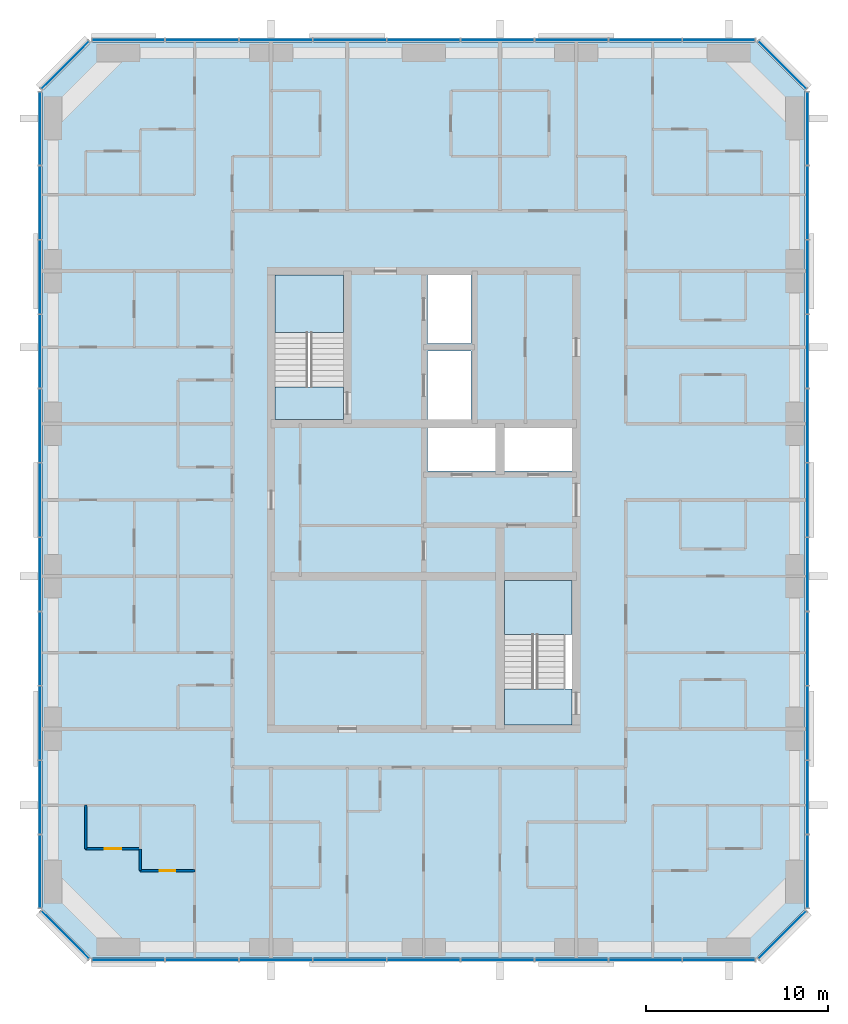
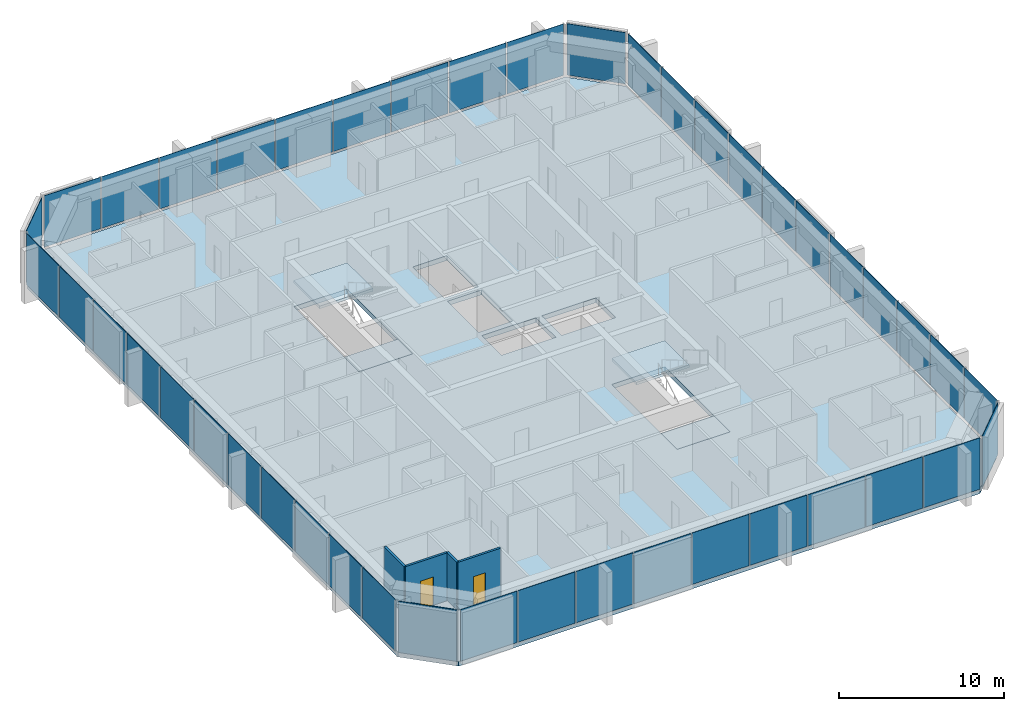
# One storey, part 6 of 12: 44 plates, 5 slabs, 4 walls, 2 doors, 2 openings, 10 elements without a shape of their own.
"""IFC4 building model written with IfcOpenShell, lengths in metres."""

from ifc_helpers import new_model, si_unit, direction, frame, frame_2d, origin, origin_2d, place, context, subcontext, project, spatial, polyline, rectangle, outline, extrude, material, layer, layer_set, type_object, element, fill, aggregate, save


model = new_model("IFC4")

# Units and contexts
model_context = context("Model", 3, precision=1e-05, world=origin(), true_north=direction((0.0, 1.0)))
body_context = subcontext(model_context, "Body", "Model", "MODEL_VIEW")
ifc_project = project(units=[si_unit("LENGTHUNIT", "METRE"), si_unit("AREAUNIT", "SQUARE_METRE"), si_unit("VOLUMEUNIT", "CUBIC_METRE"), si_unit("PLANEANGLEUNIT", "RADIAN"), si_unit("MASSUNIT", "GRAM", prefix="KILO")], contexts=[model_context])

# Site, building, storey
site_placement = place(None, origin())
site = spatial("IfcSite", under=ifc_project, at=site_placement, CompositionType="ELEMENT")
building_placement = place(site_placement, origin())
building = spatial("IfcBuilding", under=site, at=building_placement, Name="Dunama Terrace Hotel", CompositionType="ELEMENT")
storey_placement = place(building_placement, frame((0.0, 0.0, 252.89990234375)))
storey = spatial("IfcBuildingStorey", under=building, at=storey_placement, Name="L65", CompositionType="ELEMENT", Elevation=252.89990234375)

# Curtain wall, plates
ifc_material_1 = material(Name="Aluminium curtain wall system", Category="aluminium")
curtain_wall_type = type_object("IfcCurtainWallType", Name="Unitised fritted glass wall CW-D", PredefinedType="NOTDEFINED", material=ifc_material_1)
curtain_wall_1_placement = place(storey_placement, origin())
curtain_wall_1 = element("IfcCurtainWall", 1, at=curtain_wall_1_placement, inside=storey, type_object=curtain_wall_type, Name="Unitised fritted glass wall CW-D L65", PredefinedType="NOTDEFINED")
ifc_material_2 = material(Name="Laminated glass", Category="glass")
ifc_layer_1 = layer(ifc_material_2, 0.035888671875)
ifc_layer_set_1 = layer_set([ifc_layer_1], Name="CWD clear glass panel")
plate_type_1 = type_object("IfcPlateType", Name="CWD clear glass panel", PredefinedType="CURTAIN_PANEL", material=ifc_layer_set_1)
plate_1_placement = place(storey_placement, frame((21.39990234375, 4.080078125, 0.085205078125), z_axis=(0.0, 0.0, 1.0), x_axis=(1.0, 0.0, 0.0)))
plate_1 = element("IfcPlate", 2, at=plate_1_placement, type_object=plate_type_1, Name="CWD clear glass panel", PredefinedType="CURTAIN_PANEL", context=body_context, shape_type="SweptSolid", body=[
    extrude(rectangle(XDim=3.99658203125, YDim=0.035888671875, at=origin_2d()), origin(), (0.0, 0.0, 1.0), 3.81494140625),
])
plate_2_placement = place(storey_placement, frame((33.60009765625, 4.080078125, 0.085205078125), z_axis=(0.0, 0.0, 1.0), x_axis=(1.0, 0.0, 0.0)))
plate_2 = element("IfcPlate", 3, at=plate_2_placement, type_object=plate_type_1, Name="CWD clear glass panel", PredefinedType="CURTAIN_PANEL", context=body_context, shape_type="SweptSolid", body=[
    extrude(rectangle(XDim=3.99658203125, YDim=0.035888671875, at=origin_2d()), origin(), (0.0, 0.0, 1.0), 3.81494140625),
])
plate_3_placement = place(storey_placement, frame((45.800048828125, 4.080078125, 0.085205078125), z_axis=(0.0, 0.0, 1.0), x_axis=(1.0, 0.0, 0.0)))
plate_3 = element("IfcPlate", 4, at=plate_3_placement, type_object=plate_type_1, Name="CWD clear glass panel", PredefinedType="CURTAIN_PANEL", context=body_context, shape_type="SweptSolid", body=[
    extrude(rectangle(XDim=3.99658203125, YDim=0.035888671875, at=origin_2d()), origin(), (0.0, 0.0, 1.0), 3.81494140625),
])

curtain_wall_2_placement = place(storey_placement, origin())
curtain_wall_2 = element("IfcCurtainWall", 5, at=curtain_wall_2_placement, inside=storey, type_object=curtain_wall_type, Name="Unitised fritted glass wall CW-D L65", PredefinedType="NOTDEFINED")
plate_4_placement = place(storey_placement, frame((54.719970703125, 8.962890625, 0.085205078125), z_axis=(0.0, 0.0, 1.0), x_axis=(0.0, 1.0, 0.0)))
plate_4 = element("IfcPlate", 6, at=plate_4_placement, type_object=plate_type_1, Name="CWD clear glass panel", PredefinedType="CURTAIN_PANEL", context=body_context, shape_type="SweptSolid", body=[
    extrude(rectangle(XDim=3.98583984375, YDim=0.035888671875, at=origin_2d()), origin(), (0.0, 0.0, 1.0), 3.81494140625),
])
plate_5_placement = place(storey_placement, frame((54.719970703125, 21.218017578125, 0.085205078125), z_axis=(0.0, 0.0, 1.0), x_axis=(0.0, 1.0, 0.0)))
plate_5 = element("IfcPlate", 7, at=plate_5_placement, type_object=plate_type_1, Name="CWD clear glass panel", PredefinedType="CURTAIN_PANEL", context=body_context, shape_type="SweptSolid", body=[
    extrude(rectangle(XDim=4.02099609375, YDim=0.035888671875, at=origin_2d()), origin(), (0.0, 0.0, 1.0), 3.81494140625),
])
plate_6_placement = place(storey_placement, frame((54.719970703125, 33.490966796875, 0.085205078125), z_axis=(0.0, 0.0, 1.0), x_axis=(0.0, 1.0, 0.0)))
plate_6 = element("IfcPlate", 8, at=plate_6_placement, type_object=plate_type_1, Name="CWD clear glass panel", PredefinedType="CURTAIN_PANEL", context=body_context, shape_type="SweptSolid", body=[
    extrude(rectangle(XDim=4.02099609375, YDim=0.035888671875, at=origin_2d()), origin(), (0.0, 0.0, 1.0), 3.81494140625),
])
plate_7_placement = place(storey_placement, frame((54.719970703125, 45.763916015625, 0.085205078125), z_axis=(0.0, 0.0, 1.0), x_axis=(0.0, 1.0, 0.0)))
plate_7 = element("IfcPlate", 9, at=plate_7_placement, type_object=plate_type_1, Name="CWD clear glass panel", PredefinedType="CURTAIN_PANEL", context=body_context, shape_type="SweptSolid", body=[
    extrude(rectangle(XDim=4.02099609375, YDim=0.035888671875, at=origin_2d()), origin(), (0.0, 0.0, 1.0), 3.81494140625),
])

curtain_wall_3_placement = place(storey_placement, origin())
curtain_wall_3 = element("IfcCurtainWall", 10, at=curtain_wall_3_placement, inside=storey, type_object=curtain_wall_type, Name="Unitised fritted glass wall CW-D L65", PredefinedType="NOTDEFINED")
plate_8_placement = place(storey_placement, frame((49.84912109375, 54.719970703125, 0.085205078125), z_axis=(0.0, 0.0, 1.0), x_axis=(-1.0, 0.0, 0.0)))
plate_8 = element("IfcPlate", 11, at=plate_8_placement, type_object=plate_type_1, Name="CWD clear glass panel", PredefinedType="CURTAIN_PANEL", context=body_context, shape_type="SweptSolid", body=[
    extrude(rectangle(XDim=3.961669921875, YDim=0.035888671875, at=origin_2d()), origin(), (0.0, 0.0, 1.0), 3.81494140625),
])
plate_9_placement = place(storey_placement, frame((37.6669921875, 54.719970703125, 0.085205078125), z_axis=(0.0, 0.0, 1.0), x_axis=(-1.0, 0.0, 0.0)))
plate_9 = element("IfcPlate", 12, at=plate_9_placement, type_object=plate_type_1, Name="CWD clear glass panel", PredefinedType="CURTAIN_PANEL", context=body_context, shape_type="SweptSolid", body=[
    extrude(rectangle(XDim=3.99658203125, YDim=0.035888671875, at=origin_2d()), origin(), (0.0, 0.0, 1.0), 3.81494140625),
])
plate_10_placement = place(storey_placement, frame((25.467041015625, 54.719970703125, 0.085205078125), z_axis=(0.0, 0.0, 1.0), x_axis=(-1.0, 0.0, 0.0)))
plate_10 = element("IfcPlate", 13, at=plate_10_placement, type_object=plate_type_1, Name="CWD clear glass panel", PredefinedType="CURTAIN_PANEL", context=body_context, shape_type="SweptSolid", body=[
    extrude(rectangle(XDim=3.99658203125, YDim=0.035888671875, at=origin_2d()), origin(), (0.0, 0.0, 1.0), 3.81494140625),
])

# Curtain wall, plate
curtain_wall_4_placement = place(storey_placement, origin())
curtain_wall_4 = element("IfcCurtainWall", 14, at=curtain_wall_4_placement, inside=storey, type_object=curtain_wall_type, Name="Unitised fritted glass wall CW-D L65", PredefinedType="NOTDEFINED")
plate_11_placement = place(storey_placement, frame((13.864990234375, 53.3349609375, 0.085205078125), z_axis=(0.0, 0.0, 1.0), x_axis=(-0.707106781187, -0.707106781187, 0.0)))
plate_11 = element("IfcPlate", 15, at=plate_11_placement, type_object=plate_type_1, Name="CWD clear glass panel", PredefinedType="CURTAIN_PANEL", context=body_context, shape_type="SweptSolid", body=[
    extrude(rectangle(XDim=3.678466796875, YDim=0.035888671875, at=origin_2d()), origin(), (0.0, 0.0, 1.0), 3.81494140625),
])
aggregate(curtain_wall_4, [plate_11])

# Curtain wall, plates
curtain_wall_5_placement = place(storey_placement, origin())
curtain_wall_5 = element("IfcCurtainWall", 16, at=curtain_wall_5_placement, inside=storey, type_object=curtain_wall_type, Name="Unitised fritted glass wall CW-D L65", PredefinedType="NOTDEFINED")
plate_12_placement = place(storey_placement, frame((12.47998046875, 41.673095703125, 0.085205078125), z_axis=(0.0, 0.0, 1.0), x_axis=(0.0, -1.0, 0.0)))
plate_12 = element("IfcPlate", 17, at=plate_12_placement, type_object=plate_type_1, Name="CWD clear glass panel", PredefinedType="CURTAIN_PANEL", context=body_context, shape_type="SweptSolid", body=[
    extrude(rectangle(XDim=4.02099609375, YDim=0.035888671875, at=origin_2d()), origin(), (0.0, 0.0, 1.0), 3.81494140625),
])
plate_13_placement = place(storey_placement, frame((12.47998046875, 29.39990234375, 0.085205078125), z_axis=(0.0, 0.0, 1.0), x_axis=(0.0, -1.0, 0.0)))
plate_13 = element("IfcPlate", 18, at=plate_13_placement, type_object=plate_type_1, Name="CWD clear glass panel", PredefinedType="CURTAIN_PANEL", context=body_context, shape_type="SweptSolid", body=[
    extrude(rectangle(XDim=4.02099609375, YDim=0.035888671875, at=origin_2d()), origin(), (0.0, 0.0, 1.0), 3.81494140625),
])
plate_14_placement = place(storey_placement, frame((12.47998046875, 17.126953125, 0.085205078125), z_axis=(0.0, 0.0, 1.0), x_axis=(0.0, -1.0, 0.0)))
plate_14 = element("IfcPlate", 19, at=plate_14_placement, type_object=plate_type_1, Name="CWD clear glass panel", PredefinedType="CURTAIN_PANEL", context=body_context, shape_type="SweptSolid", body=[
    extrude(rectangle(XDim=4.02099609375, YDim=0.035888671875, at=origin_2d()), origin(), (0.0, 0.0, 1.0), 3.81494140625),
])

# Curtain wall, plate
curtain_wall_6_placement = place(storey_placement, origin())
curtain_wall_6 = element("IfcCurtainWall", 20, at=curtain_wall_6_placement, inside=storey, type_object=curtain_wall_type, Name="Unitised fritted glass wall CW-D L65", PredefinedType="NOTDEFINED")
plate_15_placement = place(storey_placement, frame((13.864990234375, 5.465087890625, 0.085205078125), z_axis=(0.0, 0.0, 1.0), x_axis=(0.707106781187, -0.707106781187, 0.0)))
plate_15 = element("IfcPlate", 21, at=plate_15_placement, type_object=plate_type_1, Name="CWD clear glass panel", PredefinedType="CURTAIN_PANEL", context=body_context, shape_type="SweptSolid", body=[
    extrude(rectangle(XDim=3.678466796875, YDim=0.035888671875, at=origin_2d()), origin(), (0.0, 0.0, 1.0), 3.81494140625),
])
aggregate(curtain_wall_6, [plate_15])

# Plate
ifc_material_3 = material(Name="Fritted laminated glass", Category="glass")
ifc_layer_2 = layer(ifc_material_3, 0.035888671875)
ifc_layer_set_2 = layer_set([ifc_layer_2], Name="CWD fritted glass panel")
plate_type_2 = type_object("IfcPlateType", Name="CWD fritted glass panel", PredefinedType="CURTAIN_PANEL", material=ifc_layer_set_2)
plate_16_placement = place(storey_placement, frame((17.35107421875, 4.080078125, 0.085205078125), z_axis=(0.0, 0.0, 1.0), x_axis=(1.0, 0.0, 0.0)))
plate_16 = element("IfcPlate", 22, at=plate_16_placement, type_object=plate_type_2, Name="CWD fritted glass panel", PredefinedType="CURTAIN_PANEL", context=body_context, shape_type="SweptSolid", body=[
    extrude(rectangle(XDim=3.961669921875, YDim=0.035888671875, at=origin_2d()), origin(), (0.0, 0.0, 1.0), 3.81494140625),
])

plate_17_placement = place(storey_placement, frame((29.532958984375, 4.080078125, 0.085205078125), z_axis=(0.0, 0.0, 1.0), x_axis=(1.0, 0.0, 0.0)))
plate_17 = element("IfcPlate", 23, at=plate_17_placement, type_object=plate_type_2, Name="CWD fritted glass panel", PredefinedType="CURTAIN_PANEL", context=body_context, shape_type="SweptSolid", body=[
    extrude(rectangle(XDim=3.99658203125, YDim=0.035888671875, at=origin_2d()), origin(), (0.0, 0.0, 1.0), 3.81494140625),
])

plate_18_placement = place(storey_placement, frame((41.73291015625, 4.080078125, 0.085205078125), z_axis=(0.0, 0.0, 1.0), x_axis=(1.0, 0.0, 0.0)))
plate_18 = element("IfcPlate", 24, at=plate_18_placement, type_object=plate_type_2, Name="CWD fritted glass panel", PredefinedType="CURTAIN_PANEL", context=body_context, shape_type="SweptSolid", body=[
    extrude(rectangle(XDim=3.99658203125, YDim=0.035888671875, at=origin_2d()), origin(), (0.0, 0.0, 1.0), 3.81494140625),
])

# Curtain wall, plate
curtain_wall_7_placement = place(storey_placement, origin())
curtain_wall_7 = element("IfcCurtainWall", 25, at=curtain_wall_7_placement, inside=storey, type_object=curtain_wall_type, Name="Unitised fritted glass wall CW-D L65", PredefinedType="NOTDEFINED")
plate_19_placement = place(storey_placement, frame((53.3349609375, 5.465087890625, 0.085205078125), z_axis=(0.0, 0.0, 1.0), x_axis=(0.707106781187, 0.707106781187, 0.0)))
plate_19 = element("IfcPlate", 26, at=plate_19_placement, type_object=plate_type_2, Name="CWD fritted glass panel", PredefinedType="CURTAIN_PANEL", context=body_context, shape_type="SweptSolid", body=[
    extrude(rectangle(XDim=3.678466796875, YDim=0.035888671875, at=origin_2d()), origin(), (0.0, 0.0, 1.0), 3.81494140625),
])
aggregate(curtain_wall_7, [plate_19])

# Plate
plate_20_placement = place(storey_placement, frame((54.719970703125, 17.126953125, 0.085205078125), z_axis=(0.0, 0.0, 1.0), x_axis=(0.0, 1.0, 0.0)))
plate_20 = element("IfcPlate", 27, at=plate_20_placement, type_object=plate_type_2, Name="CWD fritted glass panel", PredefinedType="CURTAIN_PANEL", context=body_context, shape_type="SweptSolid", body=[
    extrude(rectangle(XDim=4.02099609375, YDim=0.035888671875, at=origin_2d()), origin(), (0.0, 0.0, 1.0), 3.81494140625),
])

plate_21_placement = place(storey_placement, frame((54.719970703125, 29.39990234375, 0.085205078125), z_axis=(0.0, 0.0, 1.0), x_axis=(0.0, 1.0, 0.0)))
plate_21 = element("IfcPlate", 28, at=plate_21_placement, type_object=plate_type_2, Name="CWD fritted glass panel", PredefinedType="CURTAIN_PANEL", context=body_context, shape_type="SweptSolid", body=[
    extrude(rectangle(XDim=4.02099609375, YDim=0.035888671875, at=origin_2d()), origin(), (0.0, 0.0, 1.0), 3.81494140625),
])

plate_22_placement = place(storey_placement, frame((54.719970703125, 41.673095703125, 0.085205078125), z_axis=(0.0, 0.0, 1.0), x_axis=(0.0, 1.0, 0.0)))
plate_22 = element("IfcPlate", 29, at=plate_22_placement, type_object=plate_type_2, Name="CWD fritted glass panel", PredefinedType="CURTAIN_PANEL", context=body_context, shape_type="SweptSolid", body=[
    extrude(rectangle(XDim=4.02099609375, YDim=0.035888671875, at=origin_2d()), origin(), (0.0, 0.0, 1.0), 3.81494140625),
])

# Curtain wall, plate
curtain_wall_8_placement = place(storey_placement, origin())
curtain_wall_8 = element("IfcCurtainWall", 30, at=curtain_wall_8_placement, inside=storey, type_object=curtain_wall_type, Name="Unitised fritted glass wall CW-D L65", PredefinedType="NOTDEFINED")
plate_23_placement = place(storey_placement, frame((53.3349609375, 53.3349609375, 0.085205078125), z_axis=(0.0, 0.0, 1.0), x_axis=(-0.707106781187, 0.707106781187, 0.0)))
plate_23 = element("IfcPlate", 31, at=plate_23_placement, type_object=plate_type_2, Name="CWD fritted glass panel", PredefinedType="CURTAIN_PANEL", context=body_context, shape_type="SweptSolid", body=[
    extrude(rectangle(XDim=3.678466796875, YDim=0.035888671875, at=origin_2d()), origin(), (0.0, 0.0, 1.0), 3.81494140625),
])
aggregate(curtain_wall_8, [plate_23])

# Plate
plate_24_placement = place(storey_placement, frame((41.73291015625, 54.719970703125, 0.085205078125), z_axis=(0.0, 0.0, 1.0), x_axis=(-1.0, 0.0, 0.0)))
plate_24 = element("IfcPlate", 32, at=plate_24_placement, type_object=plate_type_2, Name="CWD fritted glass panel", PredefinedType="CURTAIN_PANEL", context=body_context, shape_type="SweptSolid", body=[
    extrude(rectangle(XDim=3.99658203125, YDim=0.035888671875, at=origin_2d()), origin(), (0.0, 0.0, 1.0), 3.81494140625),
])

plate_25_placement = place(storey_placement, frame((29.532958984375, 54.719970703125, 0.085205078125), z_axis=(0.0, 0.0, 1.0), x_axis=(-1.0, 0.0, 0.0)))
plate_25 = element("IfcPlate", 33, at=plate_25_placement, type_object=plate_type_2, Name="CWD fritted glass panel", PredefinedType="CURTAIN_PANEL", context=body_context, shape_type="SweptSolid", body=[
    extrude(rectangle(XDim=3.99658203125, YDim=0.035888671875, at=origin_2d()), origin(), (0.0, 0.0, 1.0), 3.81494140625),
])

plate_26_placement = place(storey_placement, frame((17.35107421875, 54.719970703125, 0.085205078125), z_axis=(0.0, 0.0, 1.0), x_axis=(-1.0, 0.0, 0.0)))
plate_26 = element("IfcPlate", 34, at=plate_26_placement, type_object=plate_type_2, Name="CWD fritted glass panel", PredefinedType="CURTAIN_PANEL", context=body_context, shape_type="SweptSolid", body=[
    extrude(rectangle(XDim=3.961669921875, YDim=0.035888671875, at=origin_2d()), origin(), (0.0, 0.0, 1.0), 3.81494140625),
])

plate_27_placement = place(storey_placement, frame((12.47998046875, 45.763916015625, 0.085205078125), z_axis=(0.0, 0.0, 1.0), x_axis=(0.0, -1.0, 0.0)))
plate_27 = element("IfcPlate", 35, at=plate_27_placement, type_object=plate_type_2, Name="CWD fritted glass panel", PredefinedType="CURTAIN_PANEL", context=body_context, shape_type="SweptSolid", body=[
    extrude(rectangle(XDim=4.02099609375, YDim=0.035888671875, at=origin_2d()), origin(), (0.0, 0.0, 1.0), 3.81494140625),
])

plate_28_placement = place(storey_placement, frame((12.47998046875, 33.490966796875, 0.085205078125), z_axis=(0.0, 0.0, 1.0), x_axis=(0.0, -1.0, 0.0)))
plate_28 = element("IfcPlate", 36, at=plate_28_placement, type_object=plate_type_2, Name="CWD fritted glass panel", PredefinedType="CURTAIN_PANEL", context=body_context, shape_type="SweptSolid", body=[
    extrude(rectangle(XDim=4.02099609375, YDim=0.035888671875, at=origin_2d()), origin(), (0.0, 0.0, 1.0), 3.81494140625),
])

plate_29_placement = place(storey_placement, frame((12.47998046875, 21.218017578125, 0.085205078125), z_axis=(0.0, 0.0, 1.0), x_axis=(0.0, -1.0, 0.0)))
plate_29 = element("IfcPlate", 37, at=plate_29_placement, type_object=plate_type_2, Name="CWD fritted glass panel", PredefinedType="CURTAIN_PANEL", context=body_context, shape_type="SweptSolid", body=[
    extrude(rectangle(XDim=4.02099609375, YDim=0.035888671875, at=origin_2d()), origin(), (0.0, 0.0, 1.0), 3.81494140625),
])

plate_30_placement = place(storey_placement, frame((12.47998046875, 8.962890625, 0.085205078125), z_axis=(0.0, 0.0, 1.0), x_axis=(0.0, -1.0, 0.0)))
plate_30 = element("IfcPlate", 38, at=plate_30_placement, type_object=plate_type_2, Name="CWD fritted glass panel", PredefinedType="CURTAIN_PANEL", context=body_context, shape_type="SweptSolid", body=[
    extrude(rectangle(XDim=3.98583984375, YDim=0.035888671875, at=origin_2d()), origin(), (0.0, 0.0, 1.0), 3.81494140625),
])

ifc_material_4 = material(Name="Laminated glass", Category="glass")
ifc_layer_3 = layer(ifc_material_4, 0.035888671875)
ifc_layer_set_3 = layer_set([ifc_layer_3], Name="CWD operable glass panel")
plate_type_3 = type_object("IfcPlateType", Name="CWD operable glass panel", PredefinedType="CURTAIN_PANEL", material=ifc_layer_set_3)
plate_31_placement = place(storey_placement, frame((25.467041015625, 4.080078125, 0.085205078125), z_axis=(0.0, 0.0, 1.0), x_axis=(1.0, 0.0, 0.0)))
plate_31 = element("IfcPlate", 39, at=plate_31_placement, type_object=plate_type_3, Name="CWD operable glass panel", PredefinedType="CURTAIN_PANEL", context=body_context, shape_type="SweptSolid", body=[
    extrude(rectangle(XDim=3.99658203125, YDim=0.035888671875, at=origin_2d()), origin(), (0.0, 0.0, 1.0), 3.81494140625),
])

plate_32_placement = place(storey_placement, frame((37.6669921875, 4.080078125, 0.085205078125), z_axis=(0.0, 0.0, 1.0), x_axis=(1.0, 0.0, 0.0)))
plate_32 = element("IfcPlate", 40, at=plate_32_placement, type_object=plate_type_3, Name="CWD operable glass panel", PredefinedType="CURTAIN_PANEL", context=body_context, shape_type="SweptSolid", body=[
    extrude(rectangle(XDim=3.99658203125, YDim=0.035888671875, at=origin_2d()), origin(), (0.0, 0.0, 1.0), 3.81494140625),
])

plate_33_placement = place(storey_placement, frame((49.84912109375, 4.080078125, 0.085205078125), z_axis=(0.0, 0.0, 1.0), x_axis=(1.0, 0.0, 0.0)))
plate_33 = element("IfcPlate", 41, at=plate_33_placement, type_object=plate_type_3, Name="CWD operable glass panel", PredefinedType="CURTAIN_PANEL", context=body_context, shape_type="SweptSolid", body=[
    extrude(rectangle(XDim=3.961669921875, YDim=0.035888671875, at=origin_2d()), origin(), (0.0, 0.0, 1.0), 3.81494140625),
])

aggregate(curtain_wall_1, [plate_16, plate_1, plate_31, plate_17, plate_2, plate_32, plate_18, plate_3, plate_33])

plate_34_placement = place(storey_placement, frame((54.719970703125, 13.035888671875, 0.085205078125), z_axis=(0.0, 0.0, 1.0), x_axis=(0.0, 1.0, 0.0)))
plate_34 = element("IfcPlate", 42, at=plate_34_placement, type_object=plate_type_3, Name="CWD operable glass panel", PredefinedType="CURTAIN_PANEL", context=body_context, shape_type="SweptSolid", body=[
    extrude(rectangle(XDim=4.02099609375, YDim=0.035888671875, at=origin_2d()), origin(), (0.0, 0.0, 1.0), 3.81494140625),
])

plate_35_placement = place(storey_placement, frame((54.719970703125, 25.30908203125, 0.085205078125), z_axis=(0.0, 0.0, 1.0), x_axis=(0.0, 1.0, 0.0)))
plate_35 = element("IfcPlate", 43, at=plate_35_placement, type_object=plate_type_3, Name="CWD operable glass panel", PredefinedType="CURTAIN_PANEL", context=body_context, shape_type="SweptSolid", body=[
    extrude(rectangle(XDim=4.02099609375, YDim=0.035888671875, at=origin_2d()), origin(), (0.0, 0.0, 1.0), 3.81494140625),
])

plate_36_placement = place(storey_placement, frame((54.719970703125, 37.58203125, 0.085205078125), z_axis=(0.0, 0.0, 1.0), x_axis=(0.0, 1.0, 0.0)))
plate_36 = element("IfcPlate", 44, at=plate_36_placement, type_object=plate_type_3, Name="CWD operable glass panel", PredefinedType="CURTAIN_PANEL", context=body_context, shape_type="SweptSolid", body=[
    extrude(rectangle(XDim=4.02099609375, YDim=0.035888671875, at=origin_2d()), origin(), (0.0, 0.0, 1.0), 3.81494140625),
])

plate_37_placement = place(storey_placement, frame((54.719970703125, 49.8369140625, 0.085205078125), z_axis=(0.0, 0.0, 1.0), x_axis=(0.0, 1.0, 0.0)))
plate_37 = element("IfcPlate", 45, at=plate_37_placement, type_object=plate_type_3, Name="CWD operable glass panel", PredefinedType="CURTAIN_PANEL", context=body_context, shape_type="SweptSolid", body=[
    extrude(rectangle(XDim=3.98583984375, YDim=0.035888671875, at=origin_2d()), origin(), (0.0, 0.0, 1.0), 3.81494140625),
])

aggregate(curtain_wall_2, [plate_4, plate_34, plate_20, plate_5, plate_35, plate_21, plate_6, plate_36, plate_22, plate_7, plate_37])

plate_38_placement = place(storey_placement, frame((45.800048828125, 54.719970703125, 0.085205078125), z_axis=(0.0, 0.0, 1.0), x_axis=(-1.0, 0.0, 0.0)))
plate_38 = element("IfcPlate", 46, at=plate_38_placement, type_object=plate_type_3, Name="CWD operable glass panel", PredefinedType="CURTAIN_PANEL", context=body_context, shape_type="SweptSolid", body=[
    extrude(rectangle(XDim=3.99658203125, YDim=0.035888671875, at=origin_2d()), origin(), (0.0, 0.0, 1.0), 3.81494140625),
])

plate_39_placement = place(storey_placement, frame((33.60009765625, 54.719970703125, 0.085205078125), z_axis=(0.0, 0.0, 1.0), x_axis=(-1.0, 0.0, 0.0)))
plate_39 = element("IfcPlate", 47, at=plate_39_placement, type_object=plate_type_3, Name="CWD operable glass panel", PredefinedType="CURTAIN_PANEL", context=body_context, shape_type="SweptSolid", body=[
    extrude(rectangle(XDim=3.99658203125, YDim=0.035888671875, at=origin_2d()), origin(), (0.0, 0.0, 1.0), 3.81494140625),
])

plate_40_placement = place(storey_placement, frame((21.39990234375, 54.719970703125, 0.085205078125), z_axis=(0.0, 0.0, 1.0), x_axis=(-1.0, 0.0, 0.0)))
plate_40 = element("IfcPlate", 48, at=plate_40_placement, type_object=plate_type_3, Name="CWD operable glass panel", PredefinedType="CURTAIN_PANEL", context=body_context, shape_type="SweptSolid", body=[
    extrude(rectangle(XDim=3.99658203125, YDim=0.035888671875, at=origin_2d()), origin(), (0.0, 0.0, 1.0), 3.81494140625),
])

aggregate(curtain_wall_3, [plate_8, plate_38, plate_24, plate_9, plate_39, plate_25, plate_10, plate_40, plate_26])

plate_41_placement = place(storey_placement, frame((12.47998046875, 49.8369140625, 0.085205078125), z_axis=(0.0, 0.0, 1.0), x_axis=(0.0, -1.0, 0.0)))
plate_41 = element("IfcPlate", 49, at=plate_41_placement, type_object=plate_type_3, Name="CWD operable glass panel", PredefinedType="CURTAIN_PANEL", context=body_context, shape_type="SweptSolid", body=[
    extrude(rectangle(XDim=3.98583984375, YDim=0.035888671875, at=origin_2d()), origin(), (0.0, 0.0, 1.0), 3.81494140625),
])

plate_42_placement = place(storey_placement, frame((12.47998046875, 37.58203125, 0.085205078125), z_axis=(0.0, 0.0, 1.0), x_axis=(0.0, -1.0, 0.0)))
plate_42 = element("IfcPlate", 50, at=plate_42_placement, type_object=plate_type_3, Name="CWD operable glass panel", PredefinedType="CURTAIN_PANEL", context=body_context, shape_type="SweptSolid", body=[
    extrude(rectangle(XDim=4.02099609375, YDim=0.035888671875, at=origin_2d()), origin(), (0.0, 0.0, 1.0), 3.81494140625),
])

plate_43_placement = place(storey_placement, frame((12.47998046875, 25.30908203125, 0.085205078125), z_axis=(0.0, 0.0, 1.0), x_axis=(0.0, -1.0, 0.0)))
plate_43 = element("IfcPlate", 51, at=plate_43_placement, type_object=plate_type_3, Name="CWD operable glass panel", PredefinedType="CURTAIN_PANEL", context=body_context, shape_type="SweptSolid", body=[
    extrude(rectangle(XDim=4.02099609375, YDim=0.035888671875, at=origin_2d()), origin(), (0.0, 0.0, 1.0), 3.81494140625),
])

plate_44_placement = place(storey_placement, frame((12.47998046875, 13.035888671875, 0.085205078125), z_axis=(0.0, 0.0, 1.0), x_axis=(0.0, -1.0, 0.0)))
plate_44 = element("IfcPlate", 52, at=plate_44_placement, type_object=plate_type_3, Name="CWD operable glass panel", PredefinedType="CURTAIN_PANEL", context=body_context, shape_type="SweptSolid", body=[
    extrude(rectangle(XDim=4.02099609375, YDim=0.035888671875, at=origin_2d()), origin(), (0.0, 0.0, 1.0), 3.81494140625),
])

aggregate(curtain_wall_5, [plate_41, plate_27, plate_12, plate_42, plate_28, plate_13, plate_43, plate_29, plate_14, plate_44, plate_30])

# Slab
ifc_material_5 = material(Name="Concrete C40/50", Category="concrete")
ifc_layer_4 = layer(ifc_material_5, 0.35009765625)
ifc_layer_set_4 = layer_set([ifc_layer_4], Name="Flat plate 350")
slab_type_1 = type_object("IfcSlabType", Name="Flat plate 350", PredefinedType="FLOOR", material=ifc_layer_set_4)
slab_1_placement = place(storey_placement, frame((0.0, 0.0, -0.349853515625)))
element("IfcSlab", 53, at=slab_1_placement, inside=storey, type_object=slab_type_1, Name="Floor slab L65", PredefinedType="FLOOR", context=body_context, shape_type="SweptSolid", body=[
    extrude(outline(polyline([(15.300048828125, 4.199951171875), (51.89990234375, 4.199951171875), (54.60009765625, 6.89990234375), (54.60009765625, 51.89990234375), (51.89990234375, 54.60009765625), (15.300048828125, 54.60009765625), (12.60009765625, 51.89990234375), (12.60009765625, 6.89990234375), (15.300048828125, 4.199951171875)]), holes=[polyline([(37.60009765625, 31.0), (37.60009765625, 33.39990234375), (33.800048828125, 33.39990234375), (33.800048828125, 31.0), (37.60009765625, 31.0)]), polyline([(41.800048828125, 31.0), (41.800048828125, 33.39990234375), (38.0, 33.39990234375), (38.0, 31.0), (41.800048828125, 31.0)]), polyline([(36.199951171875, 38.0), (36.199951171875, 41.800048828125), (33.800048828125, 41.800048828125), (33.800048828125, 38.0), (36.199951171875, 38.0)]), polyline([(36.199951171875, 33.800048828125), (36.199951171875, 37.60009765625), (33.800048828125, 37.60009765625), (33.800048828125, 33.800048828125), (36.199951171875, 33.800048828125)]), polyline([(29.175048828125, 33.824951171875), (29.175048828125, 41.77490234375), (25.425048828125, 41.77490234375), (25.425048828125, 33.824951171875), (29.175048828125, 33.824951171875)]), polyline([(41.77490234375, 17.02490234375), (41.77490234375, 24.97509765625), (38.050048828125, 24.97509765625), (38.050048828125, 17.02490234375), (41.77490234375, 17.02490234375)])]), origin(), (0.0, 0.0, 1.0), 0.349853515625),
])

# Stair, slabs
ifc_material_6 = material(Name="Concrete C40/50", Category="concrete")
stair_type_1 = type_object("IfcStairType", Name="Stair ST1-3900-1800", PredefinedType="HALF_TURN_STAIR", material=ifc_material_6)
stair_1_placement = place(storey_placement, origin())
stair_1 = element("IfcStair", 54, at=stair_1_placement, inside=storey, type_object=stair_type_1, Name="Stair ST1 L65", PredefinedType="HALF_TURN_STAIR")
ifc_material_7 = material(Name="Concrete C40/50", Category="concrete")
ifc_layer_5 = layer(ifc_material_7, 0.199951171875)
ifc_layer_set_5 = layer_set([ifc_layer_5], Name="Stair landing 200")
slab_type_2 = type_object("IfcSlabType", Name="Stair landing 200", PredefinedType="LANDING", material=ifc_layer_set_5)
slab_2_placement = place(storey_placement, frame((0.0, 0.0, -0.199951171875)))
slab_2 = element("IfcSlab", 55, at=slab_2_placement, type_object=slab_type_2, Name="ST1 landing 1, type S10", PredefinedType="LANDING", context=body_context, shape_type="SweptSolid", body=[
    extrude(outline(polyline([(25.425048828125, 33.824951171875), (29.175048828125, 33.824951171875), (29.175048828125, 35.625), (25.425048828125, 35.625), (25.425048828125, 33.824951171875)])), origin(), (0.0, 0.0, 1.0), 0.199951171875),
])
slab_3_placement = place(storey_placement, frame((0.0, 0.0, 1.75)))
slab_3 = element("IfcSlab", 56, at=slab_3_placement, type_object=slab_type_2, Name="ST1 landing 2, type S10", PredefinedType="LANDING", context=body_context, shape_type="SweptSolid", body=[
    extrude(outline(polyline([(25.425048828125, 38.625), (29.175048828125, 38.625), (29.175048828125, 41.77490234375), (25.425048828125, 41.77490234375), (25.425048828125, 38.625)])), origin(), (0.0, 0.0, 1.0), 0.2001953125),
])
aggregate(stair_1, [slab_2, slab_3])

ifc_material_8 = material(Name="Concrete C40/50", Category="concrete")
stair_type_2 = type_object("IfcStairType", Name="Stair ST2-3900-1600", PredefinedType="HALF_TURN_STAIR", material=ifc_material_8)
stair_2_placement = place(storey_placement, origin())
stair_2 = element("IfcStair", 57, at=stair_2_placement, inside=storey, type_object=stair_type_2, Name="Stair ST2 L65", PredefinedType="HALF_TURN_STAIR")
slab_4_placement = place(storey_placement, frame((0.0, 0.0, -0.199951171875)))
slab_4 = element("IfcSlab", 58, at=slab_4_placement, type_object=slab_type_2, Name="ST2 landing 1, type S10", PredefinedType="LANDING", context=body_context, shape_type="SweptSolid", body=[
    extrude(outline(polyline([(38.050048828125, 17.02490234375), (41.77490234375, 17.02490234375), (41.77490234375, 19.0), (38.050048828125, 19.0), (38.050048828125, 17.02490234375)])), origin(), (0.0, 0.0, 1.0), 0.199951171875),
])
slab_5_placement = place(storey_placement, frame((0.0, 0.0, 1.75)))
slab_5 = element("IfcSlab", 59, at=slab_5_placement, type_object=slab_type_2, Name="ST2 landing 2, type S10", PredefinedType="LANDING", context=body_context, shape_type="SweptSolid", body=[
    extrude(outline(polyline([(38.050048828125, 22.0), (41.77490234375, 22.0), (41.77490234375, 24.97509765625), (38.050048828125, 24.97509765625), (38.050048828125, 22.0)])), origin(), (0.0, 0.0, 1.0), 0.2001953125),
])
aggregate(stair_2, [slab_4, slab_5])

# Wall
ifc_material_9 = material(Name="Gypsum board partition", Category="masonry")
ifc_layer_6 = layer(ifc_material_9, 0.14990234375)
ifc_layer_set_6 = layer_set([ifc_layer_6], Name="Bathroom partition 150")
wall_type_1 = type_object("IfcWallType", Name="Bathroom partition 150", PredefinedType="PARTITIONING", material=ifc_layer_set_6)
wall_1_placement = place(storey_placement, frame((18.0, 9.0, 0.0), z_axis=(0.0, 0.0, 1.0), x_axis=(0.0, 1.0, 0.0)))
element("IfcWall", 60, at=wall_1_placement, inside=storey, type_object=wall_type_1, Name="Bathroom partition 150 L65", PredefinedType="PARTITIONING", context=body_context, shape_type="SweptSolid", body=[
    extrude(rectangle(XDim=1.199951171875, YDim=0.14990234375, at=frame_2d((0.60009765625, 0.0))), origin(), (0.0, 0.0, 1.0), 3.550048828125),
])

# Wall, opening, door
wall_2_placement = place(storey_placement, frame((18.0, 9.0, 0.0), z_axis=(0.0, 0.0, 1.0), x_axis=(1.0, 0.0, 0.0)))
wall_2 = element("IfcWall", 61, at=wall_2_placement, inside=storey, type_object=wall_type_1, Name="Bathroom partition 150 L65", PredefinedType="PARTITIONING", context=body_context, shape_type="SweptSolid", body=[
    extrude(rectangle(XDim=3.0, YDim=0.14990234375, at=frame_2d((1.5, 0.0))), origin(), (0.0, 0.0, 1.0), 3.550048828125),
])
opening_1_placement = place(wall_2_placement, frame((1.074951171875, 0.0, 0.0)))
opening_1 = element("IfcOpeningElement", 62, at=opening_1_placement, cuts=wall_2, Name="Opening L65-67-047", PredefinedType="OPENING", context=body_context, shape_type="SweptSolid", body=[
    extrude(rectangle(XDim=0.85009765625, YDim=2.10009765625, at=frame_2d((0.425048828125, 1.050048828125))), frame((0.0, 0.0849609375, 0.0), z_axis=(0.0, -1.0, 0.0), x_axis=(1.0, 0.0, 0.0)), (0.0, 0.0, 1.0), 0.169921875),
])
ifc_material_10 = material(Name="Timber door with steel frame", Category="steel")
door_type_1 = type_object("IfcDoorType", Name="Bathroom door 850", OperationType="SINGLE_SWING_LEFT", PredefinedType="DOOR", material=ifc_material_10)
door_1_placement = place(opening_1_placement, origin())
door_1 = element("IfcDoor", 63, at=door_1_placement, inside=storey, type_object=door_type_1, Name="Door to en-suite bathroom L65-67-047, type D2", OperationType="SINGLE_SWING_LEFT", OverallHeight=2.10009765625, OverallWidth=0.85009765625, PredefinedType="DOOR", context=body_context, shape_type="SweptSolid", body=[
    extrude(rectangle(XDim=0.85009765625, YDim=2.10009765625, at=frame_2d((0.425048828125, 1.050048828125))), frame((0.0, 0.02490234375, 0.0), z_axis=(0.0, -1.0, 0.0), x_axis=(1.0, 0.0, 0.0)), (0.0, 0.0, 1.0), 0.050048828125),
])
fill(opening_1, door_1)

# Wall
ifc_material_11 = material(Name="Gypsum board partition", Category="masonry")
ifc_layer_7 = layer(ifc_material_11, 0.14990234375)
ifc_layer_set_7 = layer_set([ifc_layer_7], Name="Room partition 150")
wall_type_2 = type_object("IfcWallType", Name="Room partition 150", PredefinedType="PARTITIONING", material=ifc_layer_set_7)
wall_3_placement = place(storey_placement, frame((15.0, 10.199951171875, 0.0), z_axis=(0.0, 0.0, 1.0), x_axis=(0.0, 1.0, 0.0)))
element("IfcWall", 64, at=wall_3_placement, inside=storey, type_object=wall_type_2, Name="Room partition 150 L65", PredefinedType="PARTITIONING", context=body_context, shape_type="SweptSolid", body=[
    extrude(rectangle(XDim=2.400146484375, YDim=0.14990234375, at=frame_2d((1.2001953125, 0.0))), origin(), (0.0, 0.0, 1.0), 3.550048828125),
])

# Wall, opening, door
wall_4_placement = place(storey_placement, frame((15.0, 10.199951171875, 0.0), z_axis=(0.0, 0.0, 1.0), x_axis=(1.0, 0.0, 0.0)))
wall_4 = element("IfcWall", 65, at=wall_4_placement, inside=storey, type_object=wall_type_2, Name="Room partition 150 L65", PredefinedType="PARTITIONING", context=body_context, shape_type="SweptSolid", body=[
    extrude(rectangle(XDim=3.0, YDim=0.14990234375, at=frame_2d((1.5, 0.0))), origin(), (0.0, 0.0, 1.0), 3.550048828125),
])
opening_2_placement = place(wall_4_placement, frame((1.050048828125, 0.0, 0.0)))
opening_2 = element("IfcOpeningElement", 66, at=opening_2_placement, cuts=wall_4, Name="Opening L65-67-048", PredefinedType="OPENING", context=body_context, shape_type="SweptSolid", body=[
    extrude(rectangle(XDim=0.89990234375, YDim=2.10009765625, at=frame_2d((0.449951171875, 1.050048828125))), frame((0.0, 0.0849609375, 0.0), z_axis=(0.0, -1.0, 0.0), x_axis=(1.0, 0.0, 0.0)), (0.0, 0.0, 1.0), 0.169921875),
])
ifc_material_12 = material(Name="Timber door with steel frame", Category="steel")
door_type_2 = type_object("IfcDoorType", Name="Suite internal door 900", OperationType="SINGLE_SWING_LEFT", PredefinedType="DOOR", material=ifc_material_12)
door_2_placement = place(opening_2_placement, origin())
door_2 = element("IfcDoor", 67, at=door_2_placement, inside=storey, type_object=door_type_2, Name="Door to dressing room L65-67-048, type D16", OperationType="SINGLE_SWING_LEFT", OverallHeight=2.10009765625, OverallWidth=0.89990234375, PredefinedType="DOOR", context=body_context, shape_type="SweptSolid", body=[
    extrude(rectangle(XDim=0.89990234375, YDim=2.10009765625, at=frame_2d((0.449951171875, 1.050048828125))), frame((0.0, 0.02490234375, 0.0), z_axis=(0.0, -1.0, 0.0), x_axis=(1.0, 0.0, 0.0)), (0.0, 0.0, 1.0), 0.050048828125),
])
fill(opening_2, door_2)

save(model, "model.ifc")
